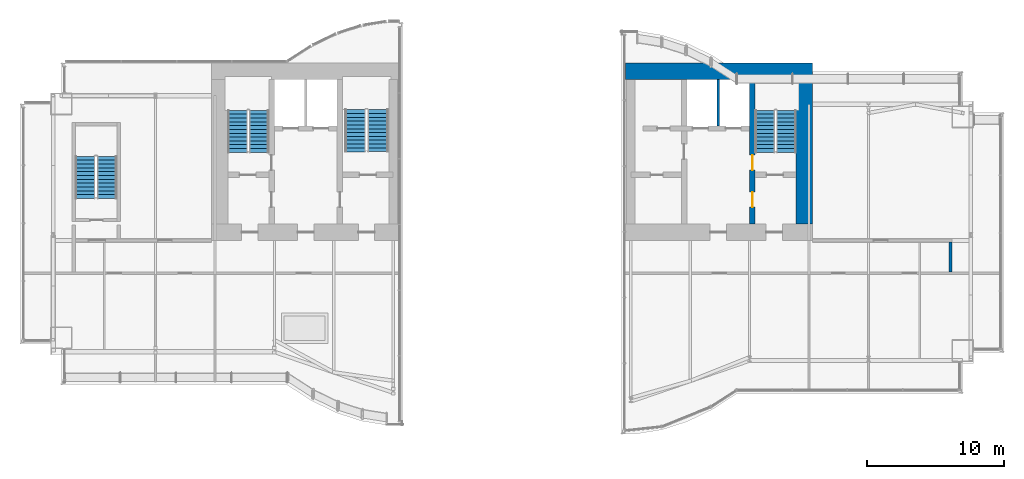
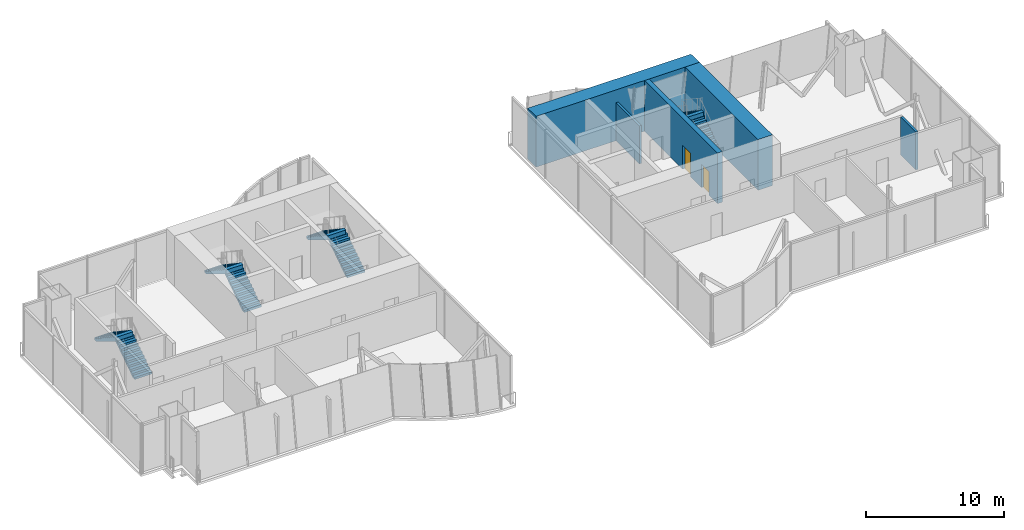
# One storey, part 11 of 14: 8 stair flights, 5 walls, 2 doors, 2 openings, 4 elements without a shape of their own.
"""IFC4 building model written with IfcOpenShell, lengths in metres."""

from ifc_helpers import new_model, si_unit, direction, frame, frame_2d, origin, place, context, subcontext, project, spatial, polyline, rectangle, outline, extrude, material, layer, layer_set, type_object, element, fill, aggregate, save


model = new_model("IFC4")

# Units and contexts
model_context = context("Model", 3, precision=1e-05, world=origin(), true_north=direction((0.0, 1.0)))
body_context = subcontext(model_context, "Body", "Model", "MODEL_VIEW")
ifc_project = project(units=[si_unit("LENGTHUNIT", "METRE"), si_unit("AREAUNIT", "SQUARE_METRE"), si_unit("VOLUMEUNIT", "CUBIC_METRE"), si_unit("PLANEANGLEUNIT", "RADIAN"), si_unit("MASSUNIT", "GRAM", prefix="KILO")], contexts=[model_context])

# Site, building, storey
site_placement = place(None, origin())
site = spatial("IfcSite", under=ifc_project, at=site_placement, CompositionType="ELEMENT")
building_placement = place(site_placement, origin())
building = spatial("IfcBuilding", under=site, at=building_placement, Name="Bicima Exchange Tower", CompositionType="ELEMENT")
storey_placement = place(building_placement, frame((0.0, 0.0, 352.39990234375)))
storey = spatial("IfcBuildingStorey", under=building, at=storey_placement, Name="L79", CompositionType="ELEMENT", Elevation=352.39990234375)

# Walls
ifc_material_1 = material(Name="Gypsum board partition")
ifc_layer_1 = layer(ifc_material_1, 0.199951171875)
ifc_layer_set_1 = layer_set([ifc_layer_1], Name="Gypsum board partition")
wall_type_1 = type_object("IfcWallType", Name="Fire-rated gypsum partition 200 EI120", PredefinedType="PARTITIONING", material=ifc_layer_set_1)
wall_1_placement = place(storey_placement, frame((15.10009765625, -4.60009765625, 0.0), z_axis=(0.0, 0.0, 1.0), x_axis=(0.0, 1.0, 0.0)))
element("IfcWall", 1, at=wall_1_placement, inside=storey, type_object=wall_type_1, Name="partition wall 11", PredefinedType="PARTITIONING", context=body_context, shape_type="SweptSolid", body=[
    extrude(rectangle(XDim=3.400146484375, YDim=0.199951171875, at=frame_2d((1.7001953125, 0.0))), origin(), (0.0, 0.0, 1.0), 3.368408203125),
])
ifc_layer_2 = layer(ifc_material_1, 0.199951171875)
ifc_layer_set_2 = layer_set([ifc_layer_2], Name="Gypsum board partition")
wall_type_2 = type_object("IfcWallType", Name="Fire-rated gypsum partition 200 EI60", PredefinedType="PARTITIONING", material=ifc_layer_set_2)
wall_2_placement = place(storey_placement, frame((32.10009765625, -15.300048828125, 0.0), z_axis=(0.0, 0.0, 1.0), x_axis=(0.0, 1.0, 0.0)))
element("IfcWall", 2, at=wall_2_placement, inside=storey, type_object=wall_type_2, Name="partition wall 13", PredefinedType="PARTITIONING", context=body_context, shape_type="SweptSolid", body=[
    extrude(rectangle(XDim=2.199951171875, YDim=0.199951171875, at=frame_2d((1.10009765625, 0.0))), origin(), (0.0, 0.0, 1.0), 3.368408203125),
])
ifc_material_2 = material(Name="Concrete C40/50", Category="concrete")
ifc_layer_3 = layer(ifc_material_2, 1.199951171875)
ifc_layer_set_3 = layer_set([ifc_layer_3], Name="Concrete C40/50")
wall_type_3 = type_object("IfcWallType", Name="RC core wall 1200 C40/50", PredefinedType="SHEAR", material=ifc_layer_set_3)
wall_3_placement = place(storey_placement, frame((8.300048828125, -0.60009765625, 0.0), z_axis=(0.0, 0.0, 1.0), x_axis=(1.0, 0.0, 0.0)))
element("IfcWall", 3, at=wall_3_placement, inside=storey, type_object=wall_type_3, Name="Core wall north-E", PredefinedType="SHEAR", context=body_context, shape_type="SweptSolid", body=[
    extrude(rectangle(XDim=13.699951171875, YDim=1.199951171875, at=frame_2d((6.85009765625, 0.0))), origin(), (0.0, 0.0, 1.0), 4.5),
])
wall_4_placement = place(storey_placement, frame((21.39990234375, -11.800048828125, 0.0), z_axis=(0.0, 0.0, 1.0), x_axis=(0.0, 1.0, 0.0)))
element("IfcWall", 4, at=wall_4_placement, inside=storey, type_object=wall_type_3, Name="Core wall outer-E", PredefinedType="SHEAR", context=body_context, shape_type="SweptSolid", body=[
    extrude(rectangle(XDim=10.60009765625, YDim=1.199951171875, at=frame_2d((5.300048828125, 0.0))), origin(), (0.0, 0.0, 1.0), 4.5),
])

# Wall, openings, doors
ifc_material_3 = material(Name="Concrete C50/60", Category="concrete")
ifc_layer_4 = layer(ifc_material_3, 0.39990234375)
ifc_layer_set_4 = layer_set([ifc_layer_4], Name="Concrete C50/60")
wall_type_4 = type_object("IfcWallType", Name="RC core wall 400 C50/60", PredefinedType="SHEAR", material=ifc_layer_set_4)
wall_5_placement = place(storey_placement, frame((17.60009765625, -11.800048828125, 0.0), z_axis=(0.0, 0.0, 1.0), x_axis=(0.0, 1.0, 0.0)))
wall_5 = element("IfcWall", 5, at=wall_5_placement, inside=storey, type_object=wall_type_4, Name="stair wall 12", PredefinedType="SHEAR", context=body_context, shape_type="SweptSolid", body=[
    extrude(rectangle(XDim=10.60009765625, YDim=0.39990234375, at=frame_2d((5.300048828125, 0.0))), origin(), (0.0, 0.0, 1.0), 4.5),
])
opening_1_placement = place(wall_5_placement, frame((1.25, 0.0, 0.0)))
opening_1 = element("IfcOpeningElement", 6, at=opening_1_placement, cuts=wall_5, Name="Opening L79-C04", PredefinedType="OPENING", context=body_context, shape_type="SweptSolid", body=[
    extrude(rectangle(XDim=1.10009765625, YDim=2.10009765625, at=frame_2d((0.550048828125, 1.050048828125))), frame((0.0, 0.2119140625, 0.0), z_axis=(0.0, -1.0, 0.0), x_axis=(1.0, 0.0, 0.0)), (0.0, 0.0, 1.0), 0.423828125),
])
opening_2_placement = place(wall_5_placement, frame((3.949951171875, 0.0, 0.0)))
opening_2 = element("IfcOpeningElement", 7, at=opening_2_placement, cuts=wall_5, Name="Opening L79-C08", PredefinedType="OPENING", context=body_context, shape_type="SweptSolid", body=[
    extrude(rectangle(XDim=1.10009765625, YDim=2.10009765625, at=frame_2d((0.550048828125, 1.050048828125))), frame((0.0, 0.2119140625, 0.0), z_axis=(0.0, -1.0, 0.0), x_axis=(1.0, 0.0, 0.0)), (0.0, 0.0, 1.0), 0.423828125),
])
ifc_material_4 = material(Name="Steel fire door leaf", Category="steel")
door_type = type_object("IfcDoorType", Name="Door 1100 swing FD60S", OperationType="SINGLE_SWING_LEFT", PredefinedType="DOOR", material=ifc_material_4)
door_1_placement = place(opening_1_placement, origin())
door_1 = element("IfcDoor", 8, at=door_1_placement, inside=storey, type_object=door_type, Name="Core door", OperationType="SINGLE_SWING_RIGHT", OverallHeight=2.10009765625, OverallWidth=1.10009765625, PredefinedType="DOOR", context=body_context, shape_type="SweptSolid", body=[
    extrude(rectangle(XDim=1.10009765625, YDim=2.10009765625, at=frame_2d((0.550048828125, 1.050048828125))), frame((0.0, 0.02490234375, 0.0), z_axis=(0.0, -1.0, 0.0), x_axis=(1.0, 0.0, 0.0)), (0.0, 0.0, 1.0), 0.050048828125),
])
fill(opening_1, door_1)
door_2_placement = place(opening_2_placement, origin())
door_2 = element("IfcDoor", 9, at=door_2_placement, inside=storey, type_object=door_type, Name="Core door", OperationType="SINGLE_SWING_RIGHT", OverallHeight=2.10009765625, OverallWidth=1.10009765625, PredefinedType="DOOR", context=body_context, shape_type="SweptSolid", body=[
    extrude(rectangle(XDim=1.10009765625, YDim=2.10009765625, at=frame_2d((0.550048828125, 1.050048828125))), frame((0.0, 0.02490234375, 0.0), z_axis=(0.0, -1.0, 0.0), x_axis=(1.0, 0.0, 0.0)), (0.0, 0.0, 1.0), 0.050048828125),
])
fill(opening_2, door_2)

# Stair, stair flights
stair_type_1 = type_object("IfcStairType", Name="Exit stair", PredefinedType="HALF_TURN_STAIR", material=ifc_material_3)
stair_1_placement = place(storey_placement, origin())
stair_1 = element("IfcStair", 10, at=stair_1_placement, inside=storey, type_object=stair_type_1, Name="L79 West exit stair", PredefinedType="HALF_TURN_STAIR")
stair_flight_type_1 = type_object("IfcStairFlightType", Name="Stair flight RC", PredefinedType="STRAIGHT", material=ifc_material_3)
stair_flight_1_placement = place(storey_placement, frame((-18.52490234375, -6.550048828125, 0.0), z_axis=(0.0, 0.0, 1.0), x_axis=(0.0, 1.0, 0.0)))
stair_flight_1 = element("IfcStairFlight", 11, at=stair_flight_1_placement, type_object=stair_flight_type_1, Name="ST-W flight 1", NumberOfRisers=12, NumberOfTreads=11, PredefinedType="STRAIGHT", RiserHeight=0.1875, TreadLength=0.28, context=body_context, shape_type="SweptSolid", body=[
    extrude(outline(polyline([(0.0, 0.0), (0.0, 0.1875), (0.280029296875, 0.1875), (0.280029296875, 0.375), (0.56005859375, 0.375), (0.56005859375, 0.5625), (0.840087890625, 0.5625), (0.840087890625, 0.75), (1.1201171875, 0.75), (1.1201171875, 0.9375), (1.39990234375, 0.9375), (1.39990234375, 1.125), (1.679931640625, 1.125), (1.679931640625, 1.3125), (1.9599609375, 1.3125), (1.9599609375, 1.5), (2.239990234375, 1.5), (2.239990234375, 1.6875), (2.52001953125, 1.6875), (2.52001953125, 1.875), (2.800048828125, 1.875), (2.800048828125, 2.0625), (3.080078125, 2.0625), (3.080078125, 2.25), (3.080078125, 1.882080078125), (0.26953125, 0.0), (0.0, 0.0)])), frame((0.0, 0.72509765625, 0.0), z_axis=(0.0, -1.0, 0.0), x_axis=(1.0, 0.0, 0.0)), (0.0, 0.0, 1.0), 1.449951171875),
])
stair_flight_2_placement = place(storey_placement, frame((-20.074951171875, -3.469970703125, 2.25), z_axis=(0.0, 0.0, 1.0), x_axis=(0.0, -1.0, 0.0)))
stair_flight_2 = element("IfcStairFlight", 12, at=stair_flight_2_placement, type_object=stair_flight_type_1, Name="ST-W flight 2", NumberOfRisers=12, NumberOfTreads=11, PredefinedType="STRAIGHT", RiserHeight=0.1875, TreadLength=0.28, context=body_context, shape_type="SweptSolid", body=[
    extrude(outline(polyline([(0.0, 0.0), (0.0, 0.1875), (0.280029296875, 0.1875), (0.280029296875, 0.375), (0.56005859375, 0.375), (0.56005859375, 0.5625), (0.840087890625, 0.5625), (0.840087890625, 0.75), (1.1201171875, 0.75), (1.1201171875, 0.9375), (1.39990234375, 0.9375), (1.39990234375, 1.125), (1.679931640625, 1.125), (1.679931640625, 1.3125), (1.9599609375, 1.3125), (1.9599609375, 1.5), (2.239990234375, 1.5), (2.239990234375, 1.6875), (2.52001953125, 1.6875), (2.52001953125, 1.875), (2.800048828125, 1.875), (2.800048828125, 2.0625), (3.080078125, 2.0625), (3.094970703125, 2.0625), (3.094970703125, 1.70458984375), (0.26953125, 0.0), (0.0, 0.0)])), frame((0.0, 0.72509765625, 0.0), z_axis=(0.0, -1.0, 0.0), x_axis=(1.0, 0.0, 0.0)), (0.0, 0.0, 1.0), 1.449951171875),
])
aggregate(stair_1, [stair_flight_1, stair_flight_2])

stair_2_placement = place(storey_placement, origin())
stair_2 = element("IfcStair", 13, at=stair_2_placement, inside=storey, type_object=stair_type_1, Name="L79 East exit stair", PredefinedType="HALF_TURN_STAIR")
stair_flight_3_placement = place(storey_placement, frame((20.074951171875, -6.550048828125, 0.0), z_axis=(0.0, 0.0, 1.0), x_axis=(0.0, 1.0, 0.0)))
stair_flight_3 = element("IfcStairFlight", 14, at=stair_flight_3_placement, type_object=stair_flight_type_1, Name="ST-E flight 1", NumberOfRisers=12, NumberOfTreads=11, PredefinedType="STRAIGHT", RiserHeight=0.1875, TreadLength=0.28, context=body_context, shape_type="SweptSolid", body=[
    extrude(outline(polyline([(0.0, 0.0), (0.0, 0.1875), (0.280029296875, 0.1875), (0.280029296875, 0.375), (0.56005859375, 0.375), (0.56005859375, 0.5625), (0.840087890625, 0.5625), (0.840087890625, 0.75), (1.1201171875, 0.75), (1.1201171875, 0.9375), (1.39990234375, 0.9375), (1.39990234375, 1.125), (1.679931640625, 1.125), (1.679931640625, 1.3125), (1.9599609375, 1.3125), (1.9599609375, 1.5), (2.239990234375, 1.5), (2.239990234375, 1.6875), (2.52001953125, 1.6875), (2.52001953125, 1.875), (2.800048828125, 1.875), (2.800048828125, 2.0625), (3.080078125, 2.0625), (3.080078125, 2.25), (3.080078125, 1.882080078125), (0.26953125, 0.0), (0.0, 0.0)])), frame((0.0, 0.72509765625, 0.0), z_axis=(0.0, -1.0, 0.0), x_axis=(1.0, 0.0, 0.0)), (0.0, 0.0, 1.0), 1.449951171875),
])
stair_flight_4_placement = place(storey_placement, frame((18.52490234375, -3.469970703125, 2.25), z_axis=(0.0, 0.0, 1.0), x_axis=(0.0, -1.0, 0.0)))
stair_flight_4 = element("IfcStairFlight", 15, at=stair_flight_4_placement, type_object=stair_flight_type_1, Name="ST-E flight 2", NumberOfRisers=12, NumberOfTreads=11, PredefinedType="STRAIGHT", RiserHeight=0.1875, TreadLength=0.28, context=body_context, shape_type="SweptSolid", body=[
    extrude(outline(polyline([(0.0, 0.0), (0.0, 0.1875), (0.280029296875, 0.1875), (0.280029296875, 0.375), (0.56005859375, 0.375), (0.56005859375, 0.5625), (0.840087890625, 0.5625), (0.840087890625, 0.75), (1.1201171875, 0.75), (1.1201171875, 0.9375), (1.39990234375, 0.9375), (1.39990234375, 1.125), (1.679931640625, 1.125), (1.679931640625, 1.3125), (1.9599609375, 1.3125), (1.9599609375, 1.5), (2.239990234375, 1.5), (2.239990234375, 1.6875), (2.52001953125, 1.6875), (2.52001953125, 1.875), (2.800048828125, 1.875), (2.800048828125, 2.0625), (3.080078125, 2.0625), (3.094970703125, 2.0625), (3.094970703125, 1.70458984375), (0.26953125, 0.0), (0.0, 0.0)])), frame((0.0, 0.72509765625, 0.0), z_axis=(0.0, -1.0, 0.0), x_axis=(1.0, 0.0, 0.0)), (0.0, 0.0, 1.0), 1.449951171875),
])
aggregate(stair_2, [stair_flight_3, stair_flight_4])

stair_3_placement = place(storey_placement, origin())
stair_3 = element("IfcStair", 16, at=stair_3_placement, inside=storey, type_object=stair_type_1, Name="L79 West end exit stair", PredefinedType="HALF_TURN_STAIR")
stair_flight_5_placement = place(storey_placement, frame((-29.64990234375, -9.925048828125, 0.0), z_axis=(0.0, 0.0, 1.0), x_axis=(0.0, 1.0, 0.0)))
stair_flight_5 = element("IfcStairFlight", 17, at=stair_flight_5_placement, type_object=stair_flight_type_1, Name="ST-WW flight 1", NumberOfRisers=12, NumberOfTreads=11, PredefinedType="STRAIGHT", RiserHeight=0.1875, TreadLength=0.28, context=body_context, shape_type="SweptSolid", body=[
    extrude(outline(polyline([(0.0, 0.0), (0.0, 0.1875), (0.280029296875, 0.1875), (0.280029296875, 0.375), (0.56005859375, 0.375), (0.56005859375, 0.5625), (0.840087890625, 0.5625), (0.840087890625, 0.75), (1.1201171875, 0.75), (1.1201171875, 0.9375), (1.39990234375, 0.9375), (1.39990234375, 1.125), (1.679931640625, 1.125), (1.679931640625, 1.3125), (1.9599609375, 1.3125), (1.9599609375, 1.5), (2.239990234375, 1.5), (2.239990234375, 1.6875), (2.52001953125, 1.6875), (2.52001953125, 1.875), (2.800048828125, 1.875), (2.800048828125, 2.0625), (3.080078125, 2.0625), (3.080078125, 2.25), (3.080078125, 1.882080078125), (0.26953125, 0.0), (0.0, 0.0)])), frame((0.0, 0.72509765625, 0.0), z_axis=(0.0, -1.0, 0.0), x_axis=(1.0, 0.0, 0.0)), (0.0, 0.0, 1.0), 1.449951171875),
])
stair_flight_6_placement = place(storey_placement, frame((-31.25, -6.844970703125, 2.25), z_axis=(0.0, 0.0, 1.0), x_axis=(0.0, -1.0, 0.0)))
stair_flight_6 = element("IfcStairFlight", 18, at=stair_flight_6_placement, type_object=stair_flight_type_1, Name="ST-WW flight 2", NumberOfRisers=12, NumberOfTreads=11, PredefinedType="STRAIGHT", RiserHeight=0.1875, TreadLength=0.28, context=body_context, shape_type="SweptSolid", body=[
    extrude(outline(polyline([(0.0, 0.0), (0.0, 0.1875), (0.280029296875, 0.1875), (0.280029296875, 0.375), (0.56005859375, 0.375), (0.56005859375, 0.5625), (0.840087890625, 0.5625), (0.840087890625, 0.75), (1.1201171875, 0.75), (1.1201171875, 0.9375), (1.39990234375, 0.9375), (1.39990234375, 1.125), (1.679931640625, 1.125), (1.679931640625, 1.3125), (1.9599609375, 1.3125), (1.9599609375, 1.5), (2.239990234375, 1.5), (2.239990234375, 1.6875), (2.52001953125, 1.6875), (2.52001953125, 1.875), (2.800048828125, 1.875), (2.800048828125, 2.0625), (3.080078125, 2.0625), (3.094970703125, 2.0625), (3.094970703125, 1.70458984375), (0.26953125, 0.0), (0.0, 0.0)])), frame((0.0, 0.72509765625, 0.0), z_axis=(0.0, -1.0, 0.0), x_axis=(1.0, 0.0, 0.0)), (0.0, 0.0, 1.0), 1.449951171875),
])
aggregate(stair_3, [stair_flight_5, stair_flight_6])

stair_type_2 = type_object("IfcStairType", Name="Exit stair 1500", PredefinedType="HALF_TURN_STAIR", material=ifc_material_3)
stair_4_placement = place(storey_placement, origin())
stair_4 = element("IfcStair", 19, at=stair_4_placement, inside=storey, type_object=stair_type_2, Name="L79 Crown exit stair", PredefinedType="HALF_TURN_STAIR")
stair_flight_type_2 = type_object("IfcStairFlightType", Name="Stair flight RC 1500", PredefinedType="STRAIGHT", material=ifc_material_3)
stair_flight_7_placement = place(storey_placement, frame((-9.824951171875, -6.5, 0.0), z_axis=(0.0, 0.0, 1.0), x_axis=(0.0, 1.0, 0.0)))
stair_flight_7 = element("IfcStairFlight", 20, at=stair_flight_7_placement, type_object=stair_flight_type_2, Name="ST-CR flight 1", NumberOfRisers=12, NumberOfTreads=11, PredefinedType="STRAIGHT", RiserHeight=0.1875, TreadLength=0.28, context=body_context, shape_type="SweptSolid", body=[
    extrude(outline(polyline([(0.0, 0.0), (0.0, 0.1875), (0.280029296875, 0.1875), (0.280029296875, 0.375), (0.56005859375, 0.375), (0.56005859375, 0.5625), (0.840087890625, 0.5625), (0.840087890625, 0.75), (1.1201171875, 0.75), (1.1201171875, 0.9375), (1.39990234375, 0.9375), (1.39990234375, 1.125), (1.679931640625, 1.125), (1.679931640625, 1.3125), (1.9599609375, 1.3125), (1.9599609375, 1.5), (2.239990234375, 1.5), (2.239990234375, 1.6875), (2.52001953125, 1.6875), (2.52001953125, 1.875), (2.800048828125, 1.875), (2.800048828125, 2.0625), (3.080078125, 2.0625), (3.080078125, 2.25), (3.080078125, 1.882080078125), (0.26953125, 0.0), (0.0, 0.0)])), frame((0.0, 0.75, 0.0), z_axis=(0.0, -1.0, 0.0), x_axis=(1.0, 0.0, 0.0)), (0.0, 0.0, 1.0), 1.5),
])
stair_flight_8_placement = place(storey_placement, frame((-11.47509765625, -3.419921875, 2.25), z_axis=(0.0, 0.0, 1.0), x_axis=(0.0, -1.0, 0.0)))
stair_flight_8 = element("IfcStairFlight", 21, at=stair_flight_8_placement, type_object=stair_flight_type_2, Name="ST-CR flight 2", NumberOfRisers=12, NumberOfTreads=11, PredefinedType="STRAIGHT", RiserHeight=0.1875, TreadLength=0.28, context=body_context, shape_type="SweptSolid", body=[
    extrude(outline(polyline([(0.0, 0.0), (0.0, 0.1875), (0.280029296875, 0.1875), (0.280029296875, 0.375), (0.56005859375, 0.375), (0.56005859375, 0.5625), (0.840087890625, 0.5625), (0.840087890625, 0.75), (1.1201171875, 0.75), (1.1201171875, 0.9375), (1.39990234375, 0.9375), (1.39990234375, 1.125), (1.679931640625, 1.125), (1.679931640625, 1.3125), (1.9599609375, 1.3125), (1.9599609375, 1.5), (2.239990234375, 1.5), (2.239990234375, 1.6875), (2.52001953125, 1.6875), (2.52001953125, 1.875), (2.800048828125, 1.875), (2.800048828125, 2.0625), (3.080078125, 2.0625), (3.094970703125, 2.0625), (3.094970703125, 1.70458984375), (0.26953125, 0.0), (0.0, 0.0)])), frame((0.0, 0.75, 0.0), z_axis=(0.0, -1.0, 0.0), x_axis=(1.0, 0.0, 0.0)), (0.0, 0.0, 1.0), 1.5),
])
aggregate(stair_4, [stair_flight_7, stair_flight_8])

save(model, "model.ifc")
